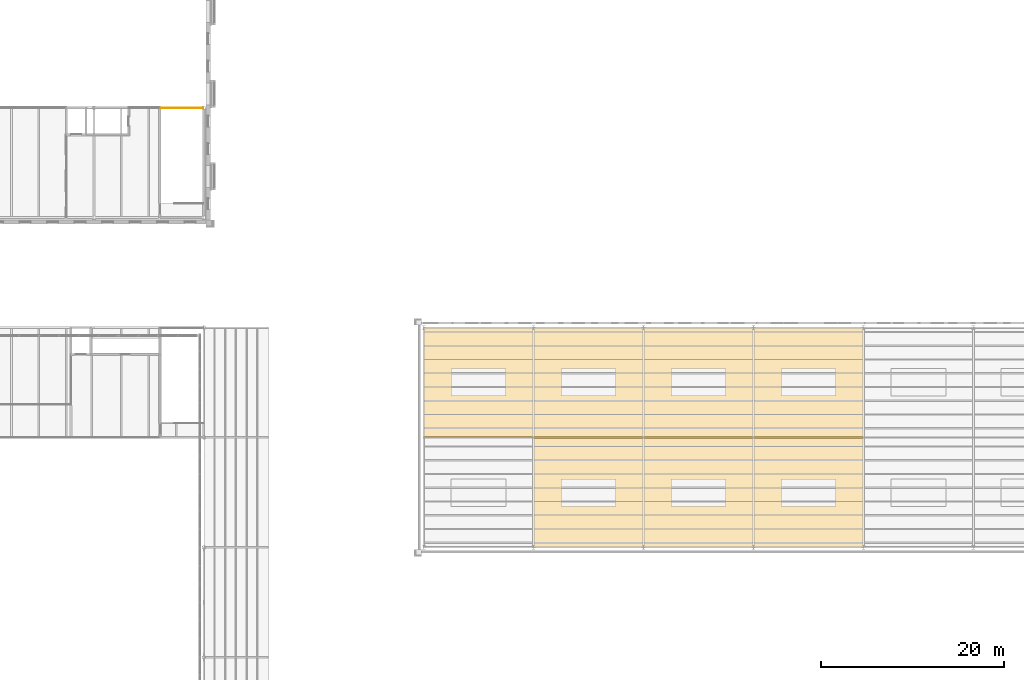
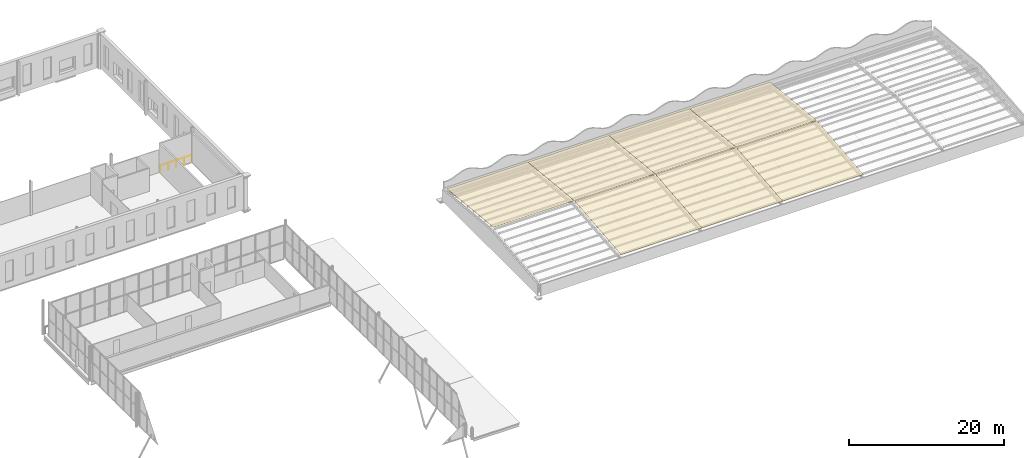
# One storey, part 166 of 170: 7 coverings, 1 railing.
"""IFC4 building model written with IfcOpenShell, lengths in metres."""

import ifcopenshell
import ifcopenshell.guid

model = None  # the IFC model being written
_history = None  # IfcOwnerHistory: only IFC2X3 demands one
_inside = {}  # id of a spatial element -> (the spatial element, [elements in it])
_under = {}  # id of a project, library or spatial element -> (it, [spatial elements below it])
_declared = {}  # id of a project -> (the project, [libraries it declares])
_typed = {}  # id of a type object -> (the type object, [elements of that type])
_made_of = {}  # id of a material, layer set ... -> (it, [elements and type objects made of it])


def new_model(schema):
    """Start an empty IFC model of exactly this schema.

    Asked for "IFC4X3", IfcOpenShell would pick the latest addendum, in which some entities
    have other attributes; the version numbers below select the first issue.
    IFC2X3 requires an IfcOwnerHistory on every rooted entity: one is made here for all.
    """
    global model, _history
    if schema == "IFC4X3":
        model = ifcopenshell.file(schema_version=(4, 3, 0, 0))
    else:
        model = ifcopenshell.file(schema=schema)
    _inside.clear()
    _under.clear()
    _declared.clear()
    _typed.clear()
    _made_of.clear()
    _history = None
    if model.schema == "IFC2X3":
        org = make("IfcOrganization", Name="unknown")
        user = make(
            "IfcPersonAndOrganization",
            ThePerson=make("IfcPerson", FamilyName="unknown"),
            TheOrganization=org,
        )
        app = make(
            "IfcApplication",
            ApplicationDeveloper=org,
            Version="unknown",
            ApplicationFullName="unknown",
            ApplicationIdentifier="unknown",
        )
        _history = make(
            "IfcOwnerHistory",
            OwningUser=user,
            OwningApplication=app,
            ChangeAction="ADDED",
            CreationDate=0,
        )
    return model


def make(cls, **values):
    """One entity of the class cls with the attributes given. An attribute that is None is left unset."""
    return model.create_entity(
        cls, **{name: value for name, value in values.items() if value is not None}
    )


def rooted(cls, **values):
    """An entity with a GlobalId (a new one), such as an element, a storey or a relation."""
    return make(cls, GlobalId=ifcopenshell.guid.new(), OwnerHistory=_history, **values)


def si_unit(unit_type, name, prefix=None):
    """IfcSIUnit, for example si_unit("LENGTHUNIT", "METRE", prefix="MILLI")."""
    return make("IfcSIUnit", UnitType=unit_type, Prefix=prefix, Name=name)


def assignment(units):
    """IfcUnitAssignment: the units of a project."""
    return None if units is None else make("IfcUnitAssignment", Units=units)


def point(xyz):
    """IfcCartesianPoint."""
    return None if xyz is None else make("IfcCartesianPoint", Coordinates=xyz)


def direction(xyz):
    """IfcDirection."""
    return None if xyz is None else make("IfcDirection", DirectionRatios=xyz)


def frame(location, z_axis=None, x_axis=None):
    """IfcAxis2Placement3D, a coordinate frame: its origin and axes. An axis left out is left unset."""
    return make(
        "IfcAxis2Placement3D",
        Location=point(location),
        Axis=direction(z_axis),
        RefDirection=direction(x_axis),
    )


def frame_2d(location, x_axis=None):
    """IfcAxis2Placement2D, a coordinate frame in the plane: its origin and x axis."""
    return make(
        "IfcAxis2Placement2D", Location=point(location), RefDirection=direction(x_axis)
    )


def origin():
    """The frame at (0, 0, 0) with its axes left unset."""
    return frame((0.0, 0.0, 0.0))


def origin_2d():
    """The frame at (0, 0) in the plane with its x axis left unset."""
    return frame_2d((0.0, 0.0))


def place(relative_to, where):
    """IfcLocalPlacement: puts the frame where relative to a parent placement (None: the world)."""
    return make(
        "IfcLocalPlacement", PlacementRelTo=relative_to, RelativePlacement=where
    )


def context(
    kind, dimensions, precision=None, world=None, true_north=None, identifier=None
):
    """IfcGeometricRepresentationContext, for example the 3D "Model" context."""
    return make(
        "IfcGeometricRepresentationContext",
        ContextIdentifier=identifier,
        ContextType=kind,
        CoordinateSpaceDimension=dimensions,
        Precision=precision,
        WorldCoordinateSystem=world,
        TrueNorth=true_north,
    )


def subcontext(parent, identifier, kind, view, scale=None):
    """IfcGeometricRepresentationSubContext, for example "Body" below "Model"."""
    return make(
        "IfcGeometricRepresentationSubContext",
        ContextIdentifier=identifier,
        ContextType=kind,
        ParentContext=parent,
        TargetScale=scale,
        TargetView=view,
    )


def project(units=None, contexts=None):
    """IfcProject with its units and contexts."""
    return rooted(
        "IfcProject",
        Name="project",
        RepresentationContexts=contexts,
        UnitsInContext=assignment(units),
    )


def spatial(cls, under=None, at=None, **own):
    """A site, building, storey or space (cls), placed at a placement, below another one or the project."""
    s = rooted(cls, ObjectPlacement=at, **own)
    if under is not None:
        _under.setdefault(under.id(), (under, []))[1].append(s)
    return s


def polyline(points):
    """IfcPolyline through the points."""
    return make("IfcPolyline", Points=[point(p) for p in points])


def profile(cls, at=None, kind="AREA", **sizes):
    """A parametric profile (cls). Its sizes go by their IFC names, for example OverallWidth=200.0."""
    return make(cls, ProfileType=kind, Position=at, **sizes)


def circle(**sizes):
    """IfcCircleProfileDef."""
    return profile("IfcCircleProfileDef", **sizes)


def outline(outer, holes=None, kind="AREA"):
    """IfcArbitraryClosedProfileDef: a profile drawn as a closed curve; with holes, ...WithVoids."""
    if holes is None:
        return make("IfcArbitraryClosedProfileDef", ProfileType=kind, OuterCurve=outer)
    return make(
        "IfcArbitraryProfileDefWithVoids",
        ProfileType=kind,
        OuterCurve=outer,
        InnerCurves=holes,
    )


def extrude(swept, where, along, depth):
    """IfcExtrudedAreaSolid: the profile swept, set in the frame where, extruded along a direction by depth."""
    return make(
        "IfcExtrudedAreaSolid",
        SweptArea=swept,
        Position=where,
        ExtrudedDirection=direction(along),
        Depth=depth,
    )


def shape(context_of_items, identifier, shape_type, items):
    """IfcShapeRepresentation: the items that make up one representation, for example the "Body"."""
    return make(
        "IfcShapeRepresentation",
        ContextOfItems=context_of_items,
        RepresentationIdentifier=identifier,
        RepresentationType=shape_type,
        Items=items,
    )


def material(Name=None, Category=None):
    """IfcMaterial."""
    return make("IfcMaterial", Name=Name, Category=Category)


def layer(
    of_material, thickness, ventilated=None, Name=None, Category=None, Priority=None
):
    """IfcMaterialLayer: one layer of a wall or slab, of a material (None: an air gap)."""
    return make(
        "IfcMaterialLayer",
        Material=of_material,
        LayerThickness=thickness,
        IsVentilated=ventilated,
        Name=Name,
        Category=Category,
        Priority=Priority,
    )


def layer_set(layers, Name=None):
    """IfcMaterialLayerSet."""
    return make("IfcMaterialLayerSet", MaterialLayers=layers, LayerSetName=Name)


def made_of(thing, what):
    """Note that an element or type object is made of a material, layer set ...; save() writes the relation."""
    if what is not None:
        _made_of.setdefault(what.id(), (what, []))[1].append(thing)
    return thing


def type_object(cls, material=None, **own):
    """A type object (cls), such as IfcWallType, which elements share."""
    return made_of(rooted(cls, **own), material)


def element(
    cls,
    number,
    at=None,
    inside=None,
    cuts=None,
    type_object=None,
    material=None,
    context=None,
    identifier="Body",
    shape_type=None,
    held_by="IfcProductDefinitionShape",
    body=None,
    shapes=None,
    **own,
):
    """One element of the class cls, such as IfcWall. Its Tag is "e" and its number.

    at: its placement. inside: the storey or other place that contains it. cuts: it is an
    opening in that element (IfcRelVoidsElement). A single representation is given by context,
    identifier, shape_type and body (its items); several are given by shapes. held_by: the class
    of the entity that holds the representations. save() writes the other relations.
    """
    e = rooted(cls, Tag="e%d" % number, ObjectPlacement=at, **own)
    if body is not None:
        shapes = [shape(context, identifier, shape_type, body)]
    if shapes is not None:
        e.Representation = make(held_by, Representations=shapes)
    if inside is not None:
        _inside.setdefault(inside.id(), (inside, []))[1].append(e)
    if cuts is not None:
        rooted(
            "IfcRelVoidsElement", RelatingBuildingElement=cuts, RelatedOpeningElement=e
        )
    if type_object is not None:
        _typed.setdefault(type_object.id(), (type_object, []))[1].append(e)
    return made_of(e, material)


def aggregate(whole, parts):
    """IfcRelAggregates: a whole, such as a stair, and the parts it consists of."""
    return rooted("IfcRelAggregates", RelatingObject=whole, RelatedObjects=parts)


def save(model, path):
    """Write the relations noted so far, then the file.

    IfcRelAggregates (storeys below a building ...), IfcRelContainedInSpatialStructure (elements
    in a storey), IfcRelDefinesByType, IfcRelAssociatesMaterial and IfcRelDeclares: one each for
    every whole, place, type object, material and project.
    """
    for whole, parts in _under.values():
        aggregate(whole, parts)
    for where, things in _inside.values():
        rooted(
            "IfcRelContainedInSpatialStructure",
            RelatedElements=things,
            RelatingStructure=where,
        )
    for kind, things in _typed.values():
        rooted("IfcRelDefinesByType", RelatedObjects=things, RelatingType=kind)
    for what, things in _made_of.values():
        rooted("IfcRelAssociatesMaterial", RelatedObjects=things, RelatingMaterial=what)
    for by, libraries in _declared.values():
        rooted("IfcRelDeclares", RelatingContext=by, RelatedDefinitions=libraries)
    model.write(path)


model = new_model("IFC4")

# Units and contexts
model_context = context("Model", 3, precision=1e-05, world=origin(), true_north=direction((0.0, 1.0)))
body_context = subcontext(model_context, "Body", "Model", "MODEL_VIEW")
ifc_project = project(units=[si_unit("LENGTHUNIT", "METRE"), si_unit("AREAUNIT", "SQUARE_METRE"), si_unit("VOLUMEUNIT", "CUBIC_METRE"), si_unit("PLANEANGLEUNIT", "RADIAN"), si_unit("MASSUNIT", "GRAM", prefix="KILO")], contexts=[model_context])

# Site, building, storey
site_placement = place(None, origin())
site = spatial("IfcSite", under=ifc_project, at=site_placement, CompositionType="ELEMENT")
building_placement = place(site_placement, origin())
building = spatial("IfcBuilding", under=site, at=building_placement, Name="Ravi Spectrum Wholesale Market", CompositionType="ELEMENT")
storey_placement = place(building_placement, frame((0.0, 0.0, 5.39990234375)))
storey = spatial("IfcBuildingStorey", under=building, at=storey_placement, Name="L01", CompositionType="ELEMENT", Elevation=5.39990234375)

# Railing
ifc_material_1 = material(Name="Steel S355", Category="steel")
railing_type = type_object("IfcRailingType", Name="Guard 1100", PredefinedType="GUARDRAIL", material=ifc_material_1)
railing_placement = place(storey_placement, frame((193.300048828125, 209.949951171875, 0.0)))
element("IfcRailing", 1, at=railing_placement, inside=storey, type_object=railing_type, Name="AU-RL-S-AU-1-WELL-0", PredefinedType="GUARDRAIL", context=body_context, shape_type="SweptSolid", body=[
    extrude(circle(Radius=0.02392578125, at=origin_2d()), frame((0.0, 0.0, 1.076171875), z_axis=(1.0, 0.0, 0.0), x_axis=(0.0, 1.0, 0.0)), (0.0, 0.0, 1.0), 4.599853515625),
    extrude(circle(Radius=0.02099609375, at=origin_2d()), origin(), (0.0, 0.0, 1.0), 1.052001953125),
    extrude(circle(Radius=0.02099609375, at=origin_2d()), frame((1.14990234375, 0.0, 0.0)), (0.0, 0.0, 1.0), 1.052001953125),
    extrude(circle(Radius=0.02099609375, at=origin_2d()), frame((2.2998046875, 0.0, 0.0)), (0.0, 0.0, 1.0), 1.052001953125),
    extrude(circle(Radius=0.02099609375, at=origin_2d()), frame((3.449951171875, 0.0, 0.0)), (0.0, 0.0, 1.0), 1.052001953125),
    extrude(circle(Radius=0.02099609375, at=origin_2d()), frame((4.599853515625, 0.0, 0.0)), (0.0, 0.0, 1.0), 1.052001953125),
])

# Coverings
ifc_material_2 = material(Name="Zinc standing seam")
ifc_layer = layer(ifc_material_2, 0.0400390625)
ifc_layer_set = layer_set([ifc_layer], Name="Zinc standing seam")
covering_type = type_object("IfcCoveringType", Name="Standing seam roof covering 40", PredefinedType="ROOFING", material=ifc_layer_set)
covering_1_placement = place(storey_placement, frame((234.0, 186.0, 1.84033203125), z_axis=(0.0, 0.099491632318, 0.995038398806), x_axis=(0.0, -0.995038398806, 0.099491632318)))
element("IfcCovering", 2, at=covering_1_placement, inside=storey, type_object=covering_type, Name="Roof covering", PredefinedType="ROOFING", context=body_context, shape_type="SweptSolid", body=[
    extrude(outline(polyline([(0.0, 0.0), (11.99947803077354, 0.0), (11.99947803077354, -12.0), (0.0, -12.0), (0.0, 0.0)])), origin(), (0.0, 0.0, -1.0), 0.0400390625),
])
covering_2_placement = place(storey_placement, frame((234.0, 173.93994140625, 3.0341796875), z_axis=(0.0, -0.099491632318, 0.995038398806), x_axis=(1.0, 0.0, 0.0)))
element("IfcCovering", 3, at=covering_2_placement, inside=storey, type_object=covering_type, Name="Roof covering", PredefinedType="ROOFING", context=body_context, shape_type="SweptSolid", body=[
    extrude(outline(polyline([(0.0, 0.0), (12.0, 0.0), (12.0, -11.99947803077354), (0.0, -11.99947803077354), (0.0, 0.0)])), origin(), (0.0, 0.0, -1.0), 0.0400390625),
])
covering_3_placement = place(storey_placement, frame((246.0, 186.0, 1.84033203125), z_axis=(0.0, 0.099491632318, 0.995038398806), x_axis=(0.0, -0.995038398806, 0.099491632318)))
element("IfcCovering", 4, at=covering_3_placement, inside=storey, type_object=covering_type, Name="Roof covering", PredefinedType="ROOFING", context=body_context, shape_type="SweptSolid", body=[
    extrude(outline(polyline([(0.0, 0.0), (11.99947803077354, 0.0), (11.99947803077354, -12.0), (0.0, -12.0), (0.0, 0.0)])), origin(), (0.0, 0.0, -1.0), 0.0400390625),
])
covering_4_placement = place(storey_placement, frame((246.0, 173.93994140625, 3.0341796875), z_axis=(0.0, -0.099491632318, 0.995038398806), x_axis=(1.0, 0.0, 0.0)))
element("IfcCovering", 5, at=covering_4_placement, inside=storey, type_object=covering_type, Name="Roof covering", PredefinedType="ROOFING", context=body_context, shape_type="SweptSolid", body=[
    extrude(outline(polyline([(0.0, 0.0), (12.0, 0.0), (12.0, -11.99947803077354), (0.0, -11.99947803077354), (0.0, 0.0)])), origin(), (0.0, 0.0, -1.0), 0.0400390625),
])
covering_5_placement = place(storey_placement, frame((258.0, 186.0, 1.84033203125), z_axis=(0.0, 0.099491632318, 0.995038398806), x_axis=(0.0, -0.995038398806, 0.099491632318)))
element("IfcCovering", 6, at=covering_5_placement, inside=storey, type_object=covering_type, Name="Roof covering", PredefinedType="ROOFING", context=body_context, shape_type="SweptSolid", body=[
    extrude(outline(polyline([(0.0, 0.0), (11.99947803077354, 0.0), (11.99947803077354, -12.0), (0.0, -12.0), (0.0, 0.0)])), origin(), (0.0, 0.0, -1.0), 0.0400390625),
])
covering_6_placement = place(storey_placement, frame((258.0, 173.93994140625, 3.0341796875), z_axis=(0.0, -0.099491632318, 0.995038398806), x_axis=(1.0, 0.0, 0.0)))
element("IfcCovering", 7, at=covering_6_placement, inside=storey, type_object=covering_type, Name="Roof covering", PredefinedType="ROOFING", context=body_context, shape_type="SweptSolid", body=[
    extrude(outline(polyline([(0.0, 0.0), (12.0, 0.0), (12.0, -11.99947803077354), (0.0, -11.99947803077354), (0.0, 0.0)])), origin(), (0.0, 0.0, -1.0), 0.0400390625),
])
covering_7_placement = place(storey_placement, frame((270.0, 186.0, 1.84033203125), z_axis=(0.0, 0.099491632318, 0.995038398806), x_axis=(0.0, -0.995038398806, 0.099491632318)))
element("IfcCovering", 8, at=covering_7_placement, inside=storey, type_object=covering_type, Name="Roof covering", PredefinedType="ROOFING", context=body_context, shape_type="SweptSolid", body=[
    extrude(outline(polyline([(0.0, 0.0), (11.99947803077354, 0.0), (11.99947803077354, -12.0), (0.0, -12.0), (0.0, 0.0)])), origin(), (0.0, 0.0, -1.0), 0.0400390625),
])

save(model, "model.ifc")
